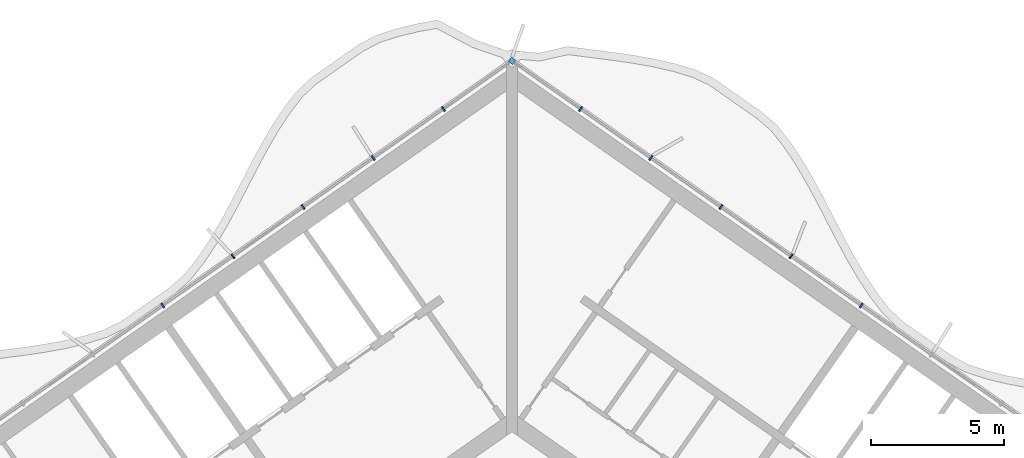
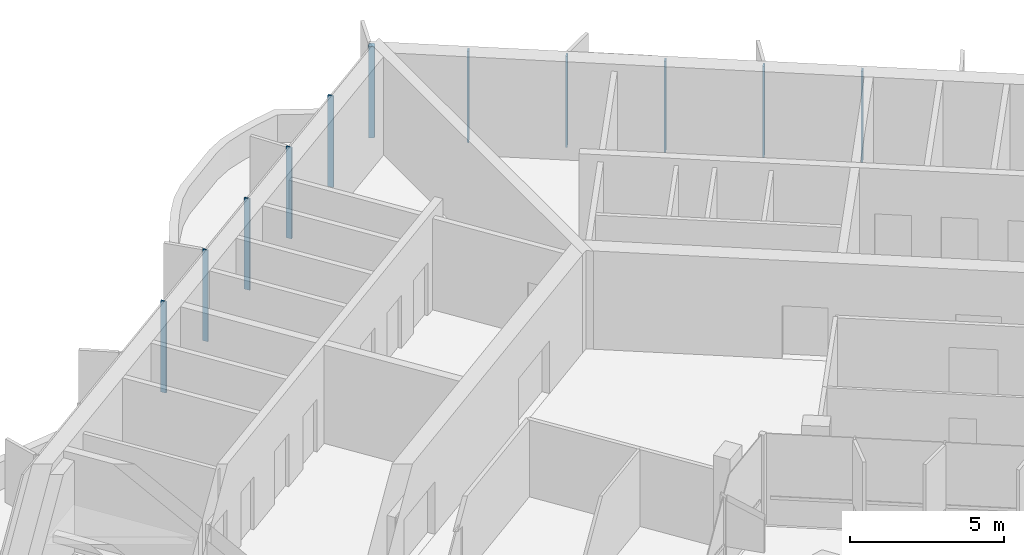
# One storey, part 7 of 21: 11 members, 1 element without a shape of its own.
"""IFC4 building model written with IfcOpenShell, lengths in metres."""

from ifc_helpers import new_model, si_unit, direction, frame, origin, origin_2d, place, context, subcontext, project, spatial, rectangle, extrude, material, material_profile, profile_set, type_object, element, aggregate, save


model = new_model("IFC4")

# Units and contexts
model_context = context("Model", 3, precision=1e-05, world=origin(), true_north=direction((0.0, 1.0)))
body_context = subcontext(model_context, "Body", "Model", "MODEL_VIEW")
ifc_project = project(units=[si_unit("LENGTHUNIT", "METRE"), si_unit("AREAUNIT", "SQUARE_METRE"), si_unit("VOLUMEUNIT", "CUBIC_METRE"), si_unit("PLANEANGLEUNIT", "RADIAN"), si_unit("MASSUNIT", "GRAM", prefix="KILO")], contexts=[model_context])

# Site, building, storey
site_placement = place(None, origin())
site = spatial("IfcSite", under=ifc_project, at=site_placement, CompositionType="ELEMENT")
building_placement = place(site_placement, origin())
building = spatial("IfcBuilding", under=site, at=building_placement, Name="Tel Ilan Convention Tower", CompositionType="ELEMENT")
storey_placement = place(building_placement, frame((0.0, 0.0, 225.39990234375)))
storey = spatial("IfcBuildingStorey", under=building, at=storey_placement, Name="L52", CompositionType="ELEMENT", Elevation=225.39990234375)

# Curtain wall, members
ifc_material_1 = material(Name="Aluminium, bronze anodised", Category="aluminium")
curtain_wall_type = type_object("IfcCurtainWallType", Name="CW2 STICK CURTAIN WALL, SPANDREL PANELS", PredefinedType="NOTDEFINED", material=ifc_material_1)
curtain_wall_placement = place(storey_placement, origin())
curtain_wall = element("IfcCurtainWall", 1, at=curtain_wall_placement, inside=storey, type_object=curtain_wall_type, Name="Curtain wall CW2-41.03", PredefinedType="NOTDEFINED")
ifc_material_2 = material(Name="Aluminium, bronze anodised", Category="aluminium")
ifc_material_profile_1 = material_profile(ifc_material_2, rectangle(XDim=0.199951171875, YDim=0.199951171875, at=origin_2d()), Name="CW CORNER MULLION 200x200")
ifc_profile_set_1 = profile_set([ifc_material_profile_1], Name="Aluminium, bronze anodised")
member_type_1 = type_object("IfcMemberType", Name="CW CORNER MULLION 200x200", PredefinedType="MULLION", material=ifc_profile_set_1)
member_1_placement = place(storey_placement, frame((0.0, 12.696044921875, 0.0), z_axis=(0.0, 0.0, 1.0), x_axis=(-0.819152044289, 0.573576436351, 0.0)))
member_1 = element("IfcMember", 2, at=member_1_placement, type_object=member_type_1, Name="Corner mullion", PredefinedType="MULLION", context=body_context, shape_type="SweptSolid", body=[
    extrude(rectangle(XDim=0.199951171875, YDim=0.199951171875, at=origin_2d()), origin(), (0.0, 0.0, 1.0), 3.6201171875),
])
ifc_material_3 = material(Name="Aluminium, bronze anodised", Category="aluminium")
ifc_material_profile_2 = material_profile(ifc_material_3, rectangle(XDim=0.06005859375, YDim=0.199951171875, at=origin_2d()), Name="CW MULLION 60x200")
ifc_profile_set_2 = profile_set([ifc_material_profile_2], Name="Aluminium, bronze anodised")
member_type_2 = type_object("IfcMemberType", Name="CW MULLION 60x200", PredefinedType="MULLION", material=ifc_profile_set_2)
member_2_placement = place(storey_placement, frame((13.105712890625, 3.519287109375, 0.0), z_axis=(0.0, 0.0, 1.0), x_axis=(-0.819152044289, 0.573576436351, 0.0)))
member_2 = element("IfcMember", 3, at=member_2_placement, type_object=member_type_2, Name="Mullion", PredefinedType="MULLION", context=body_context, shape_type="SweptSolid", body=[
    extrude(rectangle(XDim=0.06005859375, YDim=0.199951171875, at=origin_2d()), origin(), (0.0, 0.0, 1.0), 3.6201171875),
])
member_3_placement = place(storey_placement, frame((10.47314453125, 5.36279296875, 0.0), z_axis=(0.0, 0.0, 1.0), x_axis=(-0.819152044289, 0.573576436351, 0.0)))
member_3 = element("IfcMember", 4, at=member_3_placement, type_object=member_type_2, Name="Mullion", PredefinedType="MULLION", context=body_context, shape_type="SweptSolid", body=[
    extrude(rectangle(XDim=0.06005859375, YDim=0.199951171875, at=origin_2d()), origin(), (0.0, 0.0, 1.0), 3.6201171875),
])
member_4_placement = place(storey_placement, frame((7.840576171875, 7.2060546875, 0.0), z_axis=(0.0, 0.0, 1.0), x_axis=(-0.819152044289, 0.573576436351, 0.0)))
member_4 = element("IfcMember", 5, at=member_4_placement, type_object=member_type_2, Name="Mullion", PredefinedType="MULLION", context=body_context, shape_type="SweptSolid", body=[
    extrude(rectangle(XDim=0.06005859375, YDim=0.199951171875, at=origin_2d()), origin(), (0.0, 0.0, 1.0), 3.6201171875),
])
member_5_placement = place(storey_placement, frame((5.207763671875, 9.049560546875, 0.0), z_axis=(0.0, 0.0, 1.0), x_axis=(-0.819152044289, 0.573576436351, 0.0)))
member_5 = element("IfcMember", 6, at=member_5_placement, type_object=member_type_2, Name="Mullion", PredefinedType="MULLION", context=body_context, shape_type="SweptSolid", body=[
    extrude(rectangle(XDim=0.06005859375, YDim=0.199951171875, at=origin_2d()), origin(), (0.0, 0.0, 1.0), 3.6201171875),
])
member_6_placement = place(storey_placement, frame((2.5751953125, 10.892822265625, 0.0), z_axis=(0.0, 0.0, 1.0), x_axis=(-0.819152044289, 0.573576436351, 0.0)))
member_6 = element("IfcMember", 7, at=member_6_placement, type_object=member_type_2, Name="Mullion", PredefinedType="MULLION", context=body_context, shape_type="SweptSolid", body=[
    extrude(rectangle(XDim=0.06005859375, YDim=0.199951171875, at=origin_2d()), origin(), (0.0, 0.0, 1.0), 3.6201171875),
])
member_7_placement = place(storey_placement, frame((-2.5751953125, 10.892822265625, 0.0), z_axis=(0.0, 0.0, 1.0), x_axis=(-0.819152044289, -0.573576436351, 0.0)))
member_7 = element("IfcMember", 8, at=member_7_placement, type_object=member_type_2, Name="Mullion", PredefinedType="MULLION", context=body_context, shape_type="SweptSolid", body=[
    extrude(rectangle(XDim=0.06005859375, YDim=0.199951171875, at=origin_2d()), origin(), (0.0, 0.0, 1.0), 3.6201171875),
])
member_8_placement = place(storey_placement, frame((-5.207763671875, 9.049560546875, 0.0), z_axis=(0.0, 0.0, 1.0), x_axis=(-0.819152044289, -0.573576436351, 0.0)))
member_8 = element("IfcMember", 9, at=member_8_placement, type_object=member_type_2, Name="Mullion", PredefinedType="MULLION", context=body_context, shape_type="SweptSolid", body=[
    extrude(rectangle(XDim=0.06005859375, YDim=0.199951171875, at=origin_2d()), origin(), (0.0, 0.0, 1.0), 3.6201171875),
])
member_9_placement = place(storey_placement, frame((-7.840576171875, 7.2060546875, 0.0), z_axis=(0.0, 0.0, 1.0), x_axis=(-0.819152044289, -0.573576436351, 0.0)))
member_9 = element("IfcMember", 10, at=member_9_placement, type_object=member_type_2, Name="Mullion", PredefinedType="MULLION", context=body_context, shape_type="SweptSolid", body=[
    extrude(rectangle(XDim=0.06005859375, YDim=0.199951171875, at=origin_2d()), origin(), (0.0, 0.0, 1.0), 3.6201171875),
])
member_10_placement = place(storey_placement, frame((-10.47314453125, 5.36279296875, 0.0), z_axis=(0.0, 0.0, 1.0), x_axis=(-0.819152044289, -0.573576436351, 0.0)))
member_10 = element("IfcMember", 11, at=member_10_placement, type_object=member_type_2, Name="Mullion", PredefinedType="MULLION", context=body_context, shape_type="SweptSolid", body=[
    extrude(rectangle(XDim=0.06005859375, YDim=0.199951171875, at=origin_2d()), origin(), (0.0, 0.0, 1.0), 3.6201171875),
])
member_11_placement = place(storey_placement, frame((-13.105712890625, 3.519287109375, 0.0), z_axis=(0.0, 0.0, 1.0), x_axis=(-0.819152044289, -0.573576436351, 0.0)))
member_11 = element("IfcMember", 12, at=member_11_placement, type_object=member_type_2, Name="Mullion", PredefinedType="MULLION", context=body_context, shape_type="SweptSolid", body=[
    extrude(rectangle(XDim=0.06005859375, YDim=0.199951171875, at=origin_2d()), origin(), (0.0, 0.0, 1.0), 3.6201171875),
])
aggregate(curtain_wall, [member_2, member_3, member_4, member_5, member_6, member_1, member_7, member_8, member_9, member_10, member_11])

save(model, "model.ifc")
